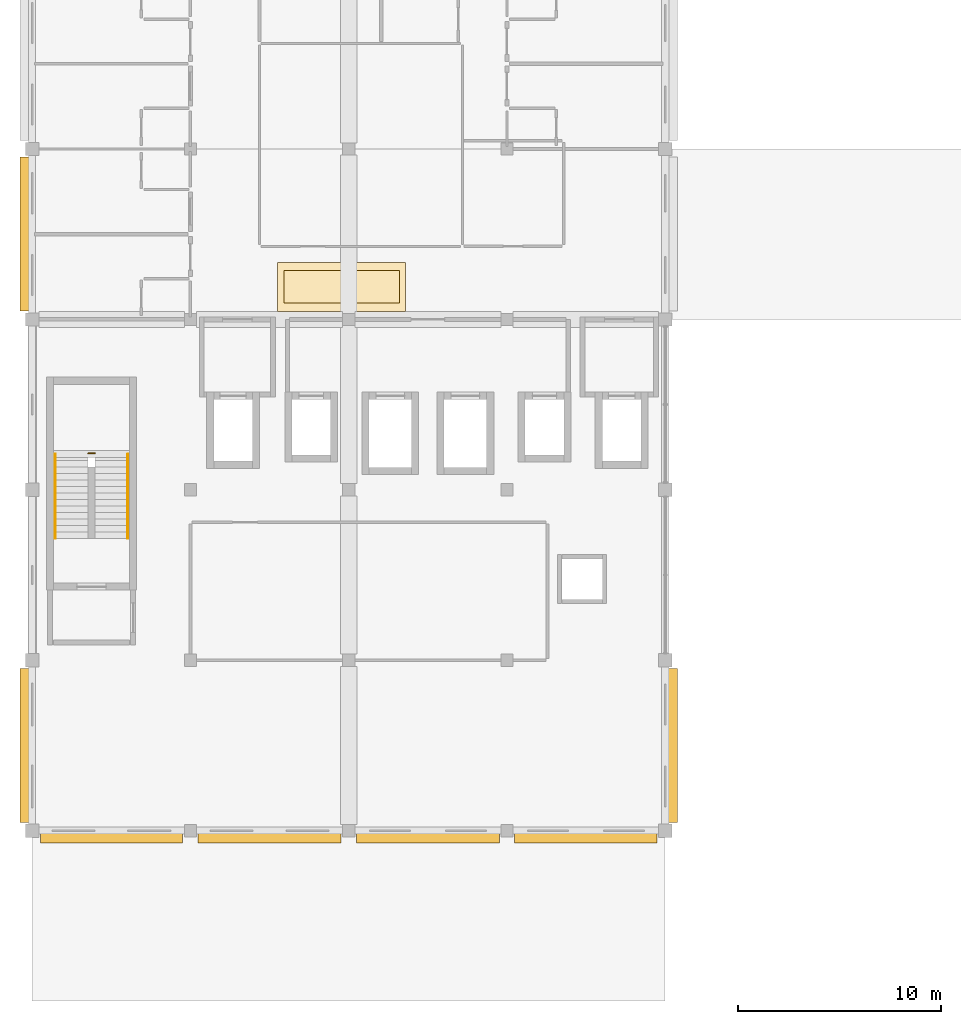
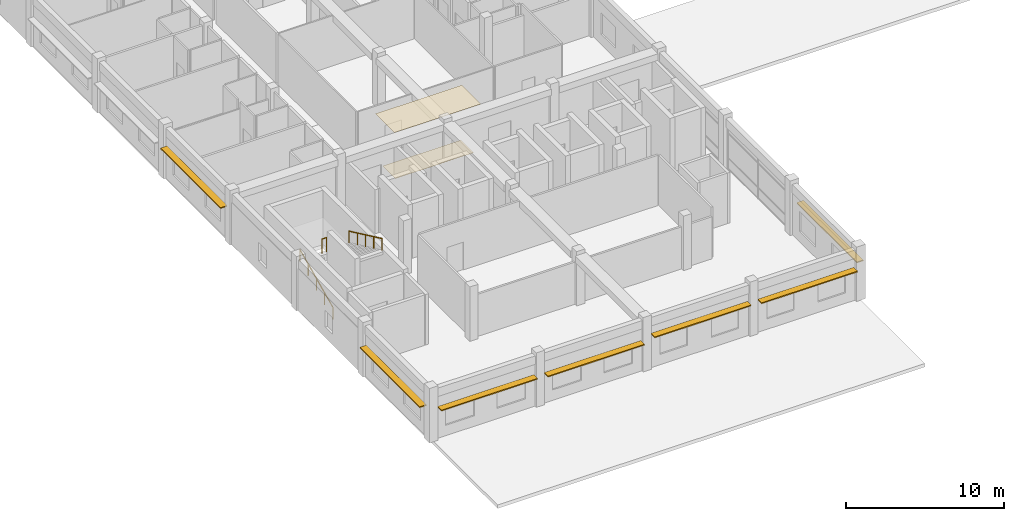
# One storey, part 27 of 32: 7 shading devices, 3 railings, 2 coverings.
"""IFC4 building model written with IfcOpenShell, lengths in metres."""

from ifc_helpers import new_model, si_unit, direction, frame, origin, origin_2d, place, context, subcontext, project, spatial, polyline, rectangle, circle, outline, extrude, material, layer, layer_set, type_object, element, save


model = new_model("IFC4")

# Units and contexts
model_context = context("Model", 3, precision=1e-05, world=origin(), true_north=direction((0.0, 1.0)))
body_context = subcontext(model_context, "Body", "Model", "MODEL_VIEW")
ifc_project = project(units=[si_unit("LENGTHUNIT", "METRE"), si_unit("AREAUNIT", "SQUARE_METRE"), si_unit("VOLUMEUNIT", "CUBIC_METRE"), si_unit("PLANEANGLEUNIT", "RADIAN"), si_unit("MASSUNIT", "GRAM", prefix="KILO"), si_unit("THERMODYNAMICTEMPERATUREUNIT", "KELVIN"), si_unit("POWERUNIT", "WATT")], contexts=[model_context])

# Site, building, storey
site_placement = place(None, origin())
site = spatial("IfcSite", under=ifc_project, at=site_placement, CompositionType="ELEMENT")
building_placement = place(site_placement, origin())
building = spatial("IfcBuilding", under=site, at=building_placement, Name="Srebrne Nadtorze General Hospital", CompositionType="ELEMENT")
storey_placement = place(building_placement, frame((0.0, 0.0, 29.699951171875)))
storey = spatial("IfcBuildingStorey", under=building, at=storey_placement, Name="L07", CompositionType="ELEMENT", Elevation=29.699951171875)

# Covering
ifc_material_1 = material(Name="Medical Vinyl Flooring")
ifc_layer_1 = layer(ifc_material_1, 0.006103515625)
ifc_layer_set_1 = layer_set([ifc_layer_1], Name="Medical Vinyl Flooring")
covering_type_1 = type_object("IfcCoveringType", Name="Antistatic medical vinyl flooring", PredefinedType="FLOORING", material=ifc_layer_set_1)
covering_1_placement = place(storey_placement, origin())
element("IfcCovering", 1, at=covering_1_placement, inside=storey, type_object=covering_type_1, Name="Medical vinyl flooring L07", PredefinedType="FLOORING", context=body_context, shape_type="SweptSolid", body=[
    extrude(outline(polyline([(35.800048828125, 51.199951171875), (41.5, 51.199951171875), (41.5, 52.800048828125), (35.800048828125, 52.800048828125), (35.800048828125, 51.199951171875)])), origin(), (0.0, 0.0, 1.0), 0.006103515625),
])

# Shading devices
ifc_material_2 = material(Name="Anodised Aluminium", Category="aluminium")
ifc_layer_2 = layer(ifc_material_2, 0.080078125)
ifc_layer_set_2 = layer_set([ifc_layer_2], Name="Anodised Aluminium")
shading_device_type = type_object("IfcShadingDeviceType", Name="Hisashi horizontal aluminium sunshade", PredefinedType="JALOUSIE", material=ifc_layer_set_2)
shading_device_1_placement = place(storey_placement, frame((27.3125, 24.840087890625, 2.3701171875), z_axis=(0.0, 0.0, 1.0), x_axis=(1.0, 0.0, 0.0)))
element("IfcShadingDevice", 2, at=shading_device_1_placement, inside=storey, type_object=shading_device_type, Name="Hisashi horizontal sunshade eave LV-391", PredefinedType="JALOUSIE", context=body_context, shape_type="SweptSolid", body=[
    extrude(rectangle(XDim=7.014892578125, YDim=0.47998046875, at=origin_2d()), origin(), (0.0, 0.0, 1.0), 0.080078125),
])
for number, where, z_axis, x_axis, name in (
    (3, (35.10009765625, 24.840087890625, 2.27001953125), (0.0, 0.0, 1.0), (1.0, 0.0, 0.0), "Hisashi horizontal sunshade eave LV-392"),
    (4, (42.89990234375, 24.840087890625, 2.570068359375), (0.0, 0.0, 1.0), (1.0, 0.0, 0.0), "Hisashi horizontal sunshade eave LV-393"),
):
    element("IfcShadingDevice", number, at=place(storey_placement, frame(where, z_axis=z_axis, x_axis=x_axis)), inside=storey, type_object=shading_device_type, Name=name, PredefinedType="JALOUSIE", context=body_context, shape_type="SweptSolid", body=[
        extrude(rectangle(XDim=7.0400390625, YDim=0.47998046875, at=origin_2d()), origin(), (0.0, 0.0, 1.0), 0.080078125),
    ])
shading_device_2_placement = place(storey_placement, frame((50.6875, 24.840087890625, 2.469970703125), z_axis=(0.0, 0.0, 1.0), x_axis=(1.0, 0.0, 0.0)))
element("IfcShadingDevice", 5, at=shading_device_2_placement, inside=storey, type_object=shading_device_type, Name="Hisashi horizontal sunshade eave LV-394", PredefinedType="JALOUSIE", context=body_context, shape_type="SweptSolid", body=[
    extrude(rectangle(XDim=7.014892578125, YDim=0.47998046875, at=origin_2d()), origin(), (0.0, 0.0, 1.0), 0.080078125),
])
for number, where, z_axis, x_axis, name in (
    (6, (23.0400390625, 29.39990234375, 2.3701171875), (0.0, 0.0, 1.0), (1.0, 0.0, 0.0), "Hisashi horizontal sunshade eave LV-407"),
    (7, (23.0400390625, 54.60009765625, 2.469970703125), (0.0, 0.0, 1.0), (1.0, 0.0, 0.0), "Hisashi horizontal sunshade eave LV-408"),
    (8, (54.9599609375, 29.39990234375, 2.3701171875), (0.0, 0.0, 1.0), (1.0, 0.0, 0.0), "Hisashi horizontal sunshade eave LV-411"),
):
    element("IfcShadingDevice", number, at=place(storey_placement, frame(where, z_axis=z_axis, x_axis=x_axis)), inside=storey, type_object=shading_device_type, Name=name, PredefinedType="JALOUSIE", context=body_context, shape_type="SweptSolid", body=[
        extrude(rectangle(XDim=0.47998046875, YDim=7.590087890625, at=origin_2d()), origin(), (0.0, 0.0, 1.0), 0.080078125),
    ])

# Covering
ifc_material_3 = material(Name="Acoustic Mineral Ceiling")
ifc_layer_3 = layer(ifc_material_3, 0.014892578125)
ifc_layer_set_3 = layer_set([ifc_layer_3], Name="Acoustic Mineral Ceiling")
covering_type_2 = type_object("IfcCoveringType", Name="Hygienic acoustic ceiling tile", PredefinedType="CEILING", material=ifc_layer_set_3)
covering_2_placement = place(storey_placement, frame((0.0, 0.0, 3.885009765625)))
element("IfcCovering", 9, at=covering_2_placement, inside=storey, type_object=covering_type_2, Name="Acoustic ceiling L07", PredefinedType="CEILING", context=body_context, shape_type="SweptSolid", body=[
    extrude(outline(polyline([(35.5, 50.800048828125), (41.800048828125, 50.800048828125), (41.800048828125, 53.199951171875), (35.5, 53.199951171875), (35.5, 50.800048828125)])), origin(), (0.0, 0.0, 1.0), 0.01513671875),
])

# Railings
ifc_material_4 = material(Name="Stainless Steel 316", Category="steel")
railing_type_1 = type_object("IfcRailingType", Name="Stairwell safety guard 1120", PredefinedType="BALUSTRADE", material=ifc_material_4)
railing_1_placement = place(storey_placement, frame((26.1650390625, 43.800048828125, 2.10009765625)))
element("IfcRailing", 10, at=railing_1_placement, inside=storey, type_object=railing_type_1, Name="Half landing well guard ST-01-L07", PredefinedType="BALUSTRADE", context=body_context, shape_type="SweptSolid", body=[
    extrude(circle(Radius=0.02392578125, at=origin_2d()), frame((0.0, 0.0, 1.09619140625), z_axis=(1.0, 0.0, 0.0), x_axis=(0.0, 1.0, 0.0)), (0.0, 0.0, 1.0), 0.320068359375),
    extrude(circle(Radius=0.02099609375, at=origin_2d()), origin(), (0.0, 0.0, 1.0), 1.072021484375),
    extrude(circle(Radius=0.02099609375, at=origin_2d()), frame((0.320068359375, 0.0, 0.0)), (0.0, 0.0, 1.0), 1.072021484375),
])
ifc_material_5 = material(Name="Stainless Steel 316", Category="steel")
railing_type_2 = type_object("IfcRailingType", Name="Tubular stainless handrail 920", PredefinedType="HANDRAIL", material=ifc_material_5)
railing_2_placement = place(storey_placement, frame((24.530029296875, 39.60009765625, 0.150146484375)))
element("IfcRailing", 11, at=railing_2_placement, inside=storey, type_object=railing_type_2, Name="Stair flight handrail ST-01-L07 F1", PredefinedType="HANDRAIL", context=body_context, shape_type="SweptSolid", body=[
    extrude(circle(Radius=0.02392578125, at=origin_2d()), frame((0.0, 0.0, 0.89599609375), z_axis=(0.0, 0.905459574153, 0.424432514746), x_axis=(-1.0, 0.0, 0.0)), (0.0, 0.0, 1.0), 4.59423828125),
    extrude(circle(Radius=0.02099609375, at=origin_2d()), origin(), (0.0, 0.0, 1.0), 0.871826171875),
    extrude(circle(Radius=0.02099609375, at=origin_2d()), frame((0.0, 1.0400390625, 0.487548828125)), (0.0, 0.0, 1.0), 0.871826171875),
    extrude(circle(Radius=0.02099609375, at=origin_2d()), frame((0.0, 2.080078125, 0.97509765625)), (0.0, 0.0, 1.0), 0.871826171875),
    extrude(circle(Radius=0.02099609375, at=origin_2d()), frame((0.0, 3.119873046875, 1.46240234375)), (0.0, 0.0, 1.0), 0.871826171875),
    extrude(circle(Radius=0.02099609375, at=origin_2d()), frame((0.0, 4.159912109375, 1.949951171875)), (0.0, 0.0, 1.0), 0.871826171875),
])
railing_3_placement = place(storey_placement, frame((28.1201171875, 43.760009765625, 2.25)))
element("IfcRailing", 12, at=railing_3_placement, inside=storey, type_object=railing_type_2, Name="Stair flight handrail ST-01-L07 F2", PredefinedType="HANDRAIL", context=body_context, shape_type="SweptSolid", body=[
    extrude(circle(Radius=0.02392578125, at=origin_2d()), frame((0.0, 0.0, 0.89599609375), z_axis=(0.0, -0.905459574153, 0.424432514746), x_axis=(1.0, 0.0, 0.0)), (0.0, 0.0, 1.0), 4.59423828125),
    extrude(circle(Radius=0.02099609375, at=origin_2d()), origin(), (0.0, 0.0, 1.0), 0.871826171875),
    extrude(circle(Radius=0.02099609375, at=origin_2d()), frame((0.0, -1.0400390625, 0.487548828125)), (0.0, 0.0, 1.0), 0.871826171875),
    extrude(circle(Radius=0.02099609375, at=origin_2d()), frame((0.0, -2.080078125, 0.97509765625)), (0.0, 0.0, 1.0), 0.871826171875),
    extrude(circle(Radius=0.02099609375, at=origin_2d()), frame((0.0, -3.119873046875, 1.46240234375)), (0.0, 0.0, 1.0), 0.871826171875),
    extrude(circle(Radius=0.02099609375, at=origin_2d()), frame((0.0, -4.159912109375, 1.949951171875)), (0.0, 0.0, 1.0), 0.871826171875),
])

save(model, "model.ifc")
